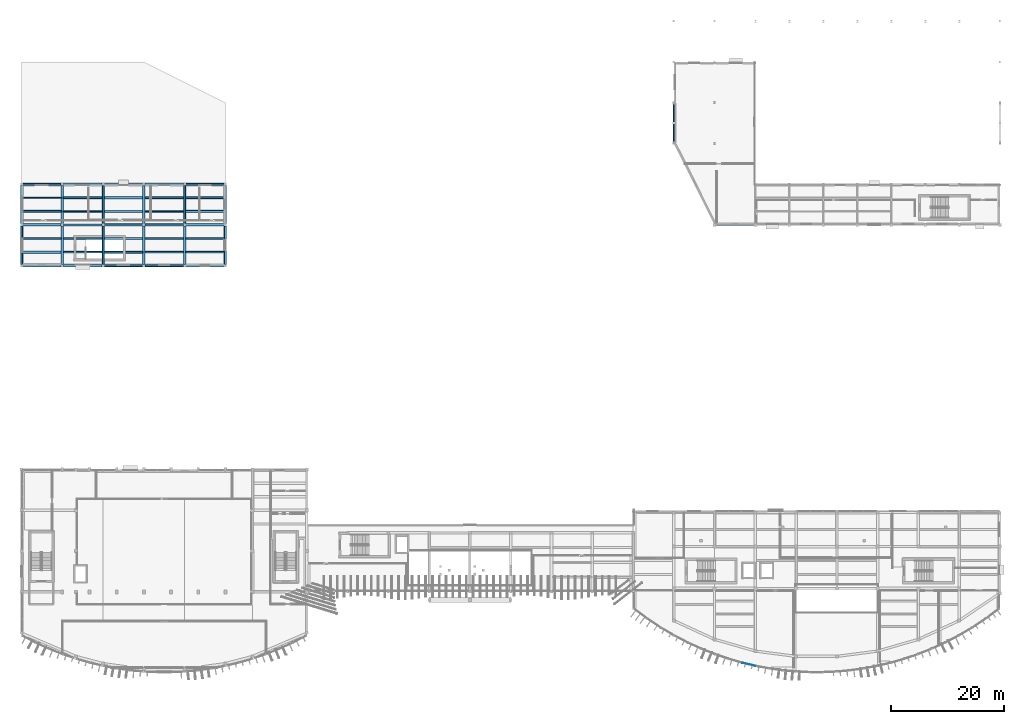
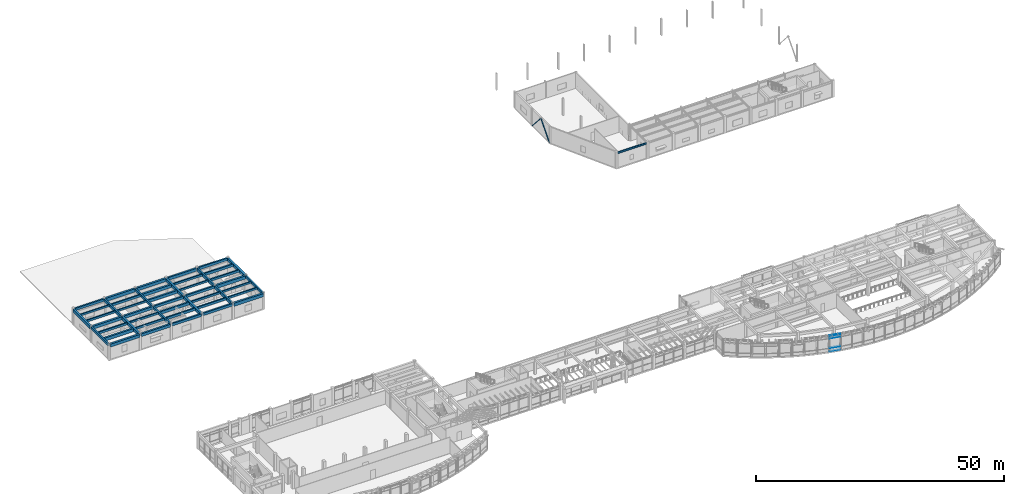
# One storey, part 21 of 60: 48 beams, 6 members, 1 element without a shape of its own.
"""IFC4 building model written with IfcOpenShell, lengths in metres."""

from ifc_helpers import new_model, si_unit, direction, frame, origin, origin_2d, place, context, subcontext, project, spatial, rectangle, hollow_rectangle, i_section, extrude, material, layer, layer_set, material_profile, profile_set, type_object, element, aggregate, save


model = new_model("IFC4")

# Units and contexts
model_context = context("Model", 3, precision=1e-05, world=origin(), true_north=direction((0.0, 1.0)))
body_context = subcontext(model_context, "Body", "Model", "MODEL_VIEW")
ifc_project = project(units=[si_unit("LENGTHUNIT", "METRE"), si_unit("AREAUNIT", "SQUARE_METRE"), si_unit("VOLUMEUNIT", "CUBIC_METRE"), si_unit("PLANEANGLEUNIT", "RADIAN"), si_unit("MASSUNIT", "GRAM", prefix="KILO")], contexts=[model_context])

# Site, building, storey
site_placement = place(None, origin())
site = spatial("IfcSite", under=ifc_project, at=site_placement, CompositionType="ELEMENT")
building_placement = place(site_placement, origin())
building = spatial("IfcBuilding", under=site, at=building_placement, Name="Brisavento Harbour Community Centre", CompositionType="ELEMENT")
storey_placement = place(building_placement, frame((0.0, 0.0, 4.5)))
storey = spatial("IfcBuildingStorey", under=building, at=storey_placement, Name="L01", CompositionType="ELEMENT", Elevation=4.5)

# Beams
ifc_material_1 = material(Name="Concrete C35/45", Category="concrete")
ifc_material_profile_1 = material_profile(ifc_material_1, rectangle(XDim=0.25, YDim=0.449951171875, at=origin_2d()), Name="Concrete C35/45")
ifc_profile_set_1 = profile_set([ifc_material_profile_1], Name="Concrete C35/45")
beam_type_1 = type_object("IfcBeamType", Name="BM-JST-250x450", PredefinedType="JOIST", material=ifc_profile_set_1)
beam_1_placement = place(storey_placement, frame((0.22509765625, 84.0, 3.72509765625), z_axis=(1.0, 0.0, 0.0), x_axis=(0.0, 1.0, 0.0)))
element("IfcBeam", 1, at=beam_1_placement, inside=storey, type_object=beam_type_1, Name="L01 secondary floor joist 0222", PredefinedType="JOIST", context=body_context, shape_type="SweptSolid", body=[
    extrude(rectangle(XDim=0.25, YDim=0.449951171875, at=origin_2d()), origin(), (0.0, 0.0, 1.0), 6.77490234375),
])
beam_2_placement = place(storey_placement, frame((21.824951171875, 81.60009765625, 3.72509765625), z_axis=(1.0, 0.0, 0.0), x_axis=(0.0, 1.0, 0.0)))
element("IfcBeam", 2, at=beam_2_placement, inside=storey, type_object=beam_type_1, Name="L01 secondary floor joist 0233", PredefinedType="JOIST", context=body_context, shape_type="SweptSolid", body=[
    extrude(rectangle(XDim=0.25, YDim=0.449951171875, at=origin_2d()), origin(), (0.0, 0.0, 1.0), 6.800048828125),
])
ifc_material_profile_2 = material_profile(ifc_material_1, rectangle(XDim=0.260009765625, YDim=0.4599609375, at=origin_2d()), Name="Concrete C35/45")
ifc_profile_set_2 = profile_set([ifc_material_profile_2], Name="Concrete C35/45")
beam_type_2 = type_object("IfcBeamType", Name="BM-JST-260x460", PredefinedType="JOIST", material=ifc_profile_set_2)
beam_3_placement = place(storey_placement, frame((7.39990234375, 81.60009765625, 3.719970703125), z_axis=(1.0, 0.0, 0.0), x_axis=(0.0, 1.0, 0.0)))
element("IfcBeam", 3, at=beam_3_placement, inside=storey, type_object=beam_type_2, Name="L01 secondary floor joist 0225", PredefinedType="JOIST", context=body_context, shape_type="SweptSolid", body=[
    extrude(rectangle(XDim=0.260009765625, YDim=0.4599609375, at=origin_2d()), origin(), (0.0, 0.0, 1.0), 6.8251953125),
])
beam_4_placement = place(storey_placement, frame((29.0, 76.800048828125, 3.719970703125), z_axis=(1.0, 0.0, 0.0), x_axis=(0.0, 1.0, 0.0)))
element("IfcBeam", 4, at=beam_4_placement, inside=storey, type_object=beam_type_2, Name="L01 secondary floor joist 0236", PredefinedType="JOIST", context=body_context, shape_type="SweptSolid", body=[
    extrude(rectangle(XDim=0.260009765625, YDim=0.4599609375, at=origin_2d()), origin(), (0.0, 0.0, 1.0), 6.824951171875),
])
ifc_material_profile_3 = material_profile(ifc_material_1, rectangle(XDim=0.280029296875, YDim=0.47998046875, at=origin_2d()), Name="Concrete C35/45")
ifc_profile_set_3 = profile_set([ifc_material_profile_3], Name="Concrete C35/45")
beam_type_3 = type_object("IfcBeamType", Name="BM-JST-280x480", PredefinedType="JOIST", material=ifc_profile_set_3)
beam_5_placement = place(storey_placement, frame((7.425048828125, 76.800048828125, 3.7099609375), z_axis=(1.0, 0.0, 0.0), x_axis=(0.0, 1.0, 0.0)))
element("IfcBeam", 5, at=beam_5_placement, inside=storey, type_object=beam_type_3, Name="L01 secondary floor joist 0224", PredefinedType="JOIST", context=body_context, shape_type="SweptSolid", body=[
    extrude(rectangle(XDim=0.280029296875, YDim=0.47998046875, at=origin_2d()), origin(), (0.0, 0.0, 1.0), 6.800048828125),
])
beam_6_placement = place(storey_placement, frame((29.0, 74.39990234375, 3.7099609375), z_axis=(1.0, 0.0, 0.0), x_axis=(0.0, 1.0, 0.0)))
element("IfcBeam", 6, at=beam_6_placement, inside=storey, type_object=beam_type_3, Name="L01 secondary floor joist 0235", PredefinedType="JOIST", context=body_context, shape_type="SweptSolid", body=[
    extrude(rectangle(XDim=0.280029296875, YDim=0.47998046875, at=origin_2d()), origin(), (0.0, 0.0, 1.0), 6.824951171875),
])
ifc_material_profile_4 = material_profile(ifc_material_1, rectangle(XDim=0.280029296875, YDim=0.52001953125, at=origin_2d()), Name="Concrete C35/45")
ifc_profile_set_4 = profile_set([ifc_material_profile_4], Name="Concrete C35/45")
beam_type_4 = type_object("IfcBeamType", Name="BM-JST-280x520", PredefinedType="JOIST", material=ifc_profile_set_4)
for number, where, z_axis, x_axis, name in (
    (7, (7.425048828125, 74.39990234375, 3.68994140625), (1.0, 0.0, 0.0), (0.0, 1.0, 0.0), "L01 secondary floor joist 0223"),
    (8, (21.824951171875, 84.0, 3.68994140625), (1.0, 0.0, 0.0), (0.0, 1.0, 0.0), "L01 secondary floor joist 0234"),
):
    element("IfcBeam", number, at=place(storey_placement, frame(where, z_axis=z_axis, x_axis=x_axis)), inside=storey, type_object=beam_type_4, Name=name, PredefinedType="JOIST", context=body_context, shape_type="SweptSolid", body=[
        extrude(rectangle(XDim=0.280029296875, YDim=0.52001953125, at=origin_2d()), origin(), (0.0, 0.0, 1.0), 6.800048828125),
    ])
ifc_material_profile_5 = material_profile(ifc_material_1, rectangle(XDim=0.300048828125, YDim=0.5, at=origin_2d()), Name="Concrete C35/45")
ifc_profile_set_5 = profile_set([ifc_material_profile_5], Name="Concrete C35/45")
beam_type_5 = type_object("IfcBeamType", Name="BM-JST-300x500", PredefinedType="JOIST", material=ifc_profile_set_5)
beam_7_placement = place(storey_placement, frame((0.22509765625, 81.60009765625, 3.699951171875), z_axis=(1.0, 0.0, 0.0), x_axis=(0.0, 1.0, 0.0)))
element("IfcBeam", 9, at=beam_7_placement, inside=storey, type_object=beam_type_5, Name="L01 secondary floor joist 0221", PredefinedType="JOIST", context=body_context, shape_type="SweptSolid", body=[
    extrude(rectangle(XDim=0.300048828125, YDim=0.5, at=origin_2d()), origin(), (0.0, 0.0, 1.0), 6.77490234375),
])
beam_8_placement = place(storey_placement, frame((21.824951171875, 76.800048828125, 3.699951171875), z_axis=(1.0, 0.0, 0.0), x_axis=(0.0, 1.0, 0.0)))
element("IfcBeam", 10, at=beam_8_placement, inside=storey, type_object=beam_type_5, Name="L01 secondary floor joist 0232", PredefinedType="JOIST", context=body_context, shape_type="SweptSolid", body=[
    extrude(rectangle(XDim=0.300048828125, YDim=0.5, at=origin_2d()), origin(), (0.0, 0.0, 1.0), 6.775146484375),
])
ifc_material_profile_6 = material_profile(ifc_material_1, rectangle(XDim=0.300048828125, YDim=0.550048828125, at=origin_2d()), Name="Concrete C35/45")
ifc_profile_set_6 = profile_set([ifc_material_profile_6], Name="Concrete C35/45")
beam_type_6 = type_object("IfcBeamType", Name="BM-JST-300x550", PredefinedType="JOIST", material=ifc_profile_set_6)
beam_9_placement = place(storey_placement, frame((0.175048828125, 76.800048828125, 3.675048828125), z_axis=(1.0, 0.0, 0.0), x_axis=(0.0, 1.0, 0.0)))
element("IfcBeam", 11, at=beam_9_placement, inside=storey, type_object=beam_type_6, Name="L01 secondary floor joist 0220", PredefinedType="JOIST", context=body_context, shape_type="SweptSolid", body=[
    extrude(rectangle(XDim=0.300048828125, YDim=0.550048828125, at=origin_2d()), origin(), (0.0, 0.0, 1.0), 6.800048828125),
])
beam_10_placement = place(storey_placement, frame((21.824951171875, 74.39990234375, 3.675048828125), z_axis=(1.0, 0.0, 0.0), x_axis=(0.0, 1.0, 0.0)))
element("IfcBeam", 12, at=beam_10_placement, inside=storey, type_object=beam_type_6, Name="L01 secondary floor joist 0231", PredefinedType="JOIST", context=body_context, shape_type="SweptSolid", body=[
    extrude(rectangle(XDim=0.300048828125, YDim=0.550048828125, at=origin_2d()), origin(), (0.0, 0.0, 1.0), 6.775146484375),
])
ifc_material_profile_7 = material_profile(ifc_material_1, rectangle(XDim=0.320068359375, YDim=0.56005859375, at=origin_2d()), Name="Concrete C35/45")
ifc_profile_set_7 = profile_set([ifc_material_profile_7], Name="Concrete C35/45")
beam_type_7 = type_object("IfcBeamType", Name="BM-JST-320x560", PredefinedType="JOIST", material=ifc_profile_set_7)
beam_11_placement = place(storey_placement, frame((7.39990234375, 84.0, 3.669921875), z_axis=(1.0, 0.0, 0.0), x_axis=(0.0, 1.0, 0.0)))
element("IfcBeam", 13, at=beam_11_placement, inside=storey, type_object=beam_type_7, Name="L01 secondary floor joist 0226", PredefinedType="JOIST", context=body_context, shape_type="SweptSolid", body=[
    extrude(rectangle(XDim=0.320068359375, YDim=0.56005859375, at=origin_2d()), origin(), (0.0, 0.0, 1.0), 6.8251953125),
])
beam_12_placement = place(storey_placement, frame((28.97509765625, 81.60009765625, 3.669921875), z_axis=(1.0, 0.0, 0.0), x_axis=(0.0, 1.0, 0.0)))
element("IfcBeam", 14, at=beam_12_placement, inside=storey, type_object=beam_type_7, Name="L01 secondary floor joist 0237", PredefinedType="JOIST", context=body_context, shape_type="SweptSolid", body=[
    extrude(rectangle(XDim=0.320068359375, YDim=0.56005859375, at=origin_2d()), origin(), (0.0, 0.0, 1.0), 6.7998046875),
])
ifc_material_profile_8 = material_profile(ifc_material_1, rectangle(XDim=0.320068359375, YDim=0.6201171875, at=origin_2d()), Name="Concrete C35/45")
ifc_profile_set_8 = profile_set([ifc_material_profile_8], Name="Concrete C35/45")
beam_type_8 = type_object("IfcBeamType", Name="BM-JST-320x620", PredefinedType="JOIST", material=ifc_profile_set_8)
beam_13_placement = place(storey_placement, frame((14.574951171875, 74.39990234375, 3.639892578125), z_axis=(1.0, 0.0, 0.0), x_axis=(0.0, 1.0, 0.0)))
element("IfcBeam", 15, at=beam_13_placement, inside=storey, type_object=beam_type_8, Name="L01 secondary floor joist 0227", PredefinedType="JOIST", context=body_context, shape_type="SweptSolid", body=[
    extrude(rectangle(XDim=0.320068359375, YDim=0.6201171875, at=origin_2d()), origin(), (0.0, 0.0, 1.0), 6.800048828125),
])
beam_14_placement = place(storey_placement, frame((28.97509765625, 84.0, 3.639892578125), z_axis=(1.0, 0.0, 0.0), x_axis=(0.0, 1.0, 0.0)))
element("IfcBeam", 16, at=beam_14_placement, inside=storey, type_object=beam_type_8, Name="L01 secondary floor joist 0238", PredefinedType="JOIST", context=body_context, shape_type="SweptSolid", body=[
    extrude(rectangle(XDim=0.320068359375, YDim=0.6201171875, at=origin_2d()), origin(), (0.0, 0.0, 1.0), 6.7998046875),
])
ifc_material_profile_9 = material_profile(ifc_material_1, rectangle(XDim=0.360107421875, YDim=0.679931640625, at=origin_2d()), Name="Concrete C35/45")
ifc_profile_set_9 = profile_set([ifc_material_profile_9], Name="Concrete C35/45")
beam_type_9 = type_object("IfcBeamType", Name="BM-JST-360x680", PredefinedType="JOIST", material=ifc_profile_set_9)
beam_15_placement = place(storey_placement, frame((14.574951171875, 76.800048828125, 3.610107421875), z_axis=(1.0, 0.0, 0.0), x_axis=(0.0, 1.0, 0.0)))
element("IfcBeam", 17, at=beam_15_placement, inside=storey, type_object=beam_type_9, Name="L01 secondary floor joist 0228", PredefinedType="JOIST", context=body_context, shape_type="SweptSolid", body=[
    extrude(rectangle(XDim=0.360107421875, YDim=0.679931640625, at=origin_2d()), origin(), (0.0, 0.0, 1.0), 6.800048828125),
])
ifc_material_profile_10 = material_profile(ifc_material_1, rectangle(XDim=0.3798828125, YDim=0.719970703125, at=origin_2d()), Name="Concrete C35/45")
ifc_profile_set_10 = profile_set([ifc_material_profile_10], Name="Concrete C35/45")
beam_type_10 = type_object("IfcBeamType", Name="BM-JST-380x720", PredefinedType="JOIST", material=ifc_profile_set_10)
beam_16_placement = place(storey_placement, frame((14.574951171875, 81.60009765625, 3.590087890625), z_axis=(1.0, 0.0, 0.0), x_axis=(0.0, 1.0, 0.0)))
element("IfcBeam", 18, at=beam_16_placement, inside=storey, type_object=beam_type_10, Name="L01 secondary floor joist 0229", PredefinedType="JOIST", context=body_context, shape_type="SweptSolid", body=[
    extrude(rectangle(XDim=0.3798828125, YDim=0.719970703125, at=origin_2d()), origin(), (0.0, 0.0, 1.0), 6.800048828125),
])
ifc_material_profile_11 = material_profile(ifc_material_1, rectangle(XDim=0.419921875, YDim=0.760009765625, at=origin_2d()), Name="Concrete C35/45")
ifc_profile_set_11 = profile_set([ifc_material_profile_11], Name="Concrete C35/45")
beam_type_11 = type_object("IfcBeamType", Name="BM-JST-420x760", PredefinedType="JOIST", material=ifc_profile_set_11)
for number, where, z_axis, x_axis, name in (
    (19, (0.175048828125, 74.39990234375, 3.570068359375), (1.0, 0.0, 0.0), (0.0, 1.0, 0.0), "L01 secondary floor joist 0219"),
    (20, (14.574951171875, 84.0, 3.570068359375), (1.0, 0.0, 0.0), (0.0, 1.0, 0.0), "L01 secondary floor joist 0230"),
):
    element("IfcBeam", number, at=place(storey_placement, frame(where, z_axis=z_axis, x_axis=x_axis)), inside=storey, type_object=beam_type_11, Name=name, PredefinedType="JOIST", context=body_context, shape_type="SweptSolid", body=[
        extrude(rectangle(XDim=0.419921875, YDim=0.760009765625, at=origin_2d()), origin(), (0.0, 0.0, 1.0), 6.800048828125),
    ])
ifc_material_profile_12 = material_profile(ifc_material_1, rectangle(XDim=0.35009765625, YDim=0.60009765625, at=origin_2d()), Name="Concrete C35/45")
ifc_profile_set_12 = profile_set([ifc_material_profile_12], Name="Concrete C35/45")
beam_type_12 = type_object("IfcBeamType", Name="BM-RC-350x600", PredefinedType="BEAM", material=ifc_profile_set_12)
for number, where, z_axis, x_axis, name in (
    (21, (21.794921875, 72.0, 3.64990234375), (1.0, 0.0, 0.0), (0.0, 1.0, 0.0), "L01 primary girder X0449"),
    (22, (21.794921875, 79.199951171875, 3.64990234375), (1.0, 0.0, 0.0), (0.0, 1.0, 0.0), "L01 primary girder X0454"),
):
    element("IfcBeam", number, at=place(storey_placement, frame(where, z_axis=z_axis, x_axis=x_axis)), inside=storey, type_object=beam_type_12, Name=name, PredefinedType="BEAM", context=body_context, shape_type="SweptSolid", body=[
        extrude(rectangle(XDim=0.35009765625, YDim=0.60009765625, at=origin_2d()), origin(), (0.0, 0.0, 1.0), 6.81005859375),
    ])
for number, where, z_axis, x_axis, name in (
    (23, (0.195068359375, 86.39990234375, 3.64990234375), (1.0, 0.0, 0.0), (0.0, 1.0, 0.0), "L01 primary girder X0464"),
    (24, (0.0, 72.195068359375, 3.64990234375), (0.0, 1.0, 0.0), (-1.0, 0.0, 0.0), "L01 primary girder Y0479"),
):
    element("IfcBeam", number, at=place(storey_placement, frame(where, z_axis=z_axis, x_axis=x_axis)), inside=storey, type_object=beam_type_12, Name=name, PredefinedType="BEAM", context=body_context, shape_type="SweptSolid", body=[
        extrude(rectangle(XDim=0.35009765625, YDim=0.60009765625, at=origin_2d()), origin(), (0.0, 0.0, 1.0), 6.809814453125),
    ])
beam_17_placement = place(storey_placement, frame((14.39990234375, 79.39501953125, 3.64990234375), z_axis=(0.0, 1.0, 0.0), x_axis=(-1.0, 0.0, 0.0)))
element("IfcBeam", 25, at=beam_17_placement, inside=storey, type_object=beam_type_12, Name="L01 primary girder Y0484", PredefinedType="BEAM", context=body_context, shape_type="SweptSolid", body=[
    extrude(rectangle(XDim=0.35009765625, YDim=0.60009765625, at=origin_2d()), origin(), (0.0, 0.0, 1.0), 6.81005859375),
])
beam_18_placement = place(storey_placement, frame((36.0, 72.195068359375, 3.64990234375), z_axis=(0.0, 1.0, 0.0), x_axis=(-1.0, 0.0, 0.0)))
element("IfcBeam", 26, at=beam_18_placement, inside=storey, type_object=beam_type_12, Name="L01 primary girder Y0489", PredefinedType="BEAM", context=body_context, shape_type="SweptSolid", body=[
    extrude(rectangle(XDim=0.35009765625, YDim=0.60009765625, at=origin_2d()), origin(), (0.0, 0.0, 1.0), 6.809814453125),
])
ifc_material_profile_13 = material_profile(ifc_material_1, rectangle(XDim=0.35009765625, YDim=0.64990234375, at=origin_2d()), Name="Concrete C35/45")
ifc_profile_set_13 = profile_set([ifc_material_profile_13], Name="Concrete C35/45")
beam_type_13 = type_object("IfcBeamType", Name="BM-RC-350x650", PredefinedType="BEAM", material=ifc_profile_set_13)
for number, where, z_axis, x_axis, name in (
    (27, (14.594970703125, 72.0, 3.625), (1.0, 0.0, 0.0), (0.0, 1.0, 0.0), "L01 primary girder X0448"),
    (28, (14.594970703125, 79.199951171875, 3.625), (1.0, 0.0, 0.0), (0.0, 1.0, 0.0), "L01 primary girder X0453"),
):
    element("IfcBeam", number, at=place(storey_placement, frame(where, z_axis=z_axis, x_axis=x_axis)), inside=storey, type_object=beam_type_13, Name=name, PredefinedType="BEAM", context=body_context, shape_type="SweptSolid", body=[
        extrude(rectangle(XDim=0.35009765625, YDim=0.64990234375, at=origin_2d()), origin(), (0.0, 0.0, 1.0), 6.81005859375),
    ])
for number, where, z_axis, x_axis, name in (
    (29, (28.9951171875, 86.39990234375, 3.625), (1.0, 0.0, 0.0), (0.0, 1.0, 0.0), "L01 primary girder X0468"),
    (30, (14.39990234375, 72.195068359375, 3.625), (0.0, 1.0, 0.0), (-1.0, 0.0, 0.0), "L01 primary girder Y0483"),
):
    element("IfcBeam", number, at=place(storey_placement, frame(where, z_axis=z_axis, x_axis=x_axis)), inside=storey, type_object=beam_type_13, Name=name, PredefinedType="BEAM", context=body_context, shape_type="SweptSolid", body=[
        extrude(rectangle(XDim=0.35009765625, YDim=0.64990234375, at=origin_2d()), origin(), (0.0, 0.0, 1.0), 6.809814453125),
    ])
beam_19_placement = place(storey_placement, frame((28.800048828125, 79.39501953125, 3.625), z_axis=(0.0, 1.0, 0.0), x_axis=(-1.0, 0.0, 0.0)))
element("IfcBeam", 31, at=beam_19_placement, inside=storey, type_object=beam_type_13, Name="L01 primary girder Y0488", PredefinedType="BEAM", context=body_context, shape_type="SweptSolid", body=[
    extrude(rectangle(XDim=0.35009765625, YDim=0.64990234375, at=origin_2d()), origin(), (0.0, 0.0, 1.0), 6.81005859375),
])
ifc_material_profile_14 = material_profile(ifc_material_1, rectangle(XDim=0.39990234375, YDim=0.699951171875, at=origin_2d()), Name="Concrete C35/45")
ifc_profile_set_14 = profile_set([ifc_material_profile_14], Name="Concrete C35/45")
beam_type_14 = type_object("IfcBeamType", Name="BM-RC-400x700", PredefinedType="BEAM", material=ifc_profile_set_14)
for number, where, z_axis, x_axis, name in (
    (32, (7.39501953125, 72.0, 3.60009765625), (1.0, 0.0, 0.0), (0.0, 1.0, 0.0), "L01 primary girder X0447"),
    (33, (7.39501953125, 79.199951171875, 3.60009765625), (1.0, 0.0, 0.0), (0.0, 1.0, 0.0), "L01 primary girder X0452"),
    (34, (21.794921875, 86.39990234375, 3.60009765625), (1.0, 0.0, 0.0), (0.0, 1.0, 0.0), "L01 primary girder X0467"),
    (35, (7.199951171875, 79.39501953125, 3.60009765625), (0.0, 1.0, 0.0), (-1.0, 0.0, 0.0), "L01 primary girder Y0482"),
):
    element("IfcBeam", number, at=place(storey_placement, frame(where, z_axis=z_axis, x_axis=x_axis)), inside=storey, type_object=beam_type_14, Name=name, PredefinedType="BEAM", context=body_context, shape_type="SweptSolid", body=[
        extrude(rectangle(XDim=0.39990234375, YDim=0.699951171875, at=origin_2d()), origin(), (0.0, 0.0, 1.0), 6.81005859375),
    ])
beam_20_placement = place(storey_placement, frame((28.800048828125, 72.195068359375, 3.60009765625), z_axis=(0.0, 1.0, 0.0), x_axis=(-1.0, 0.0, 0.0)))
element("IfcBeam", 36, at=beam_20_placement, inside=storey, type_object=beam_type_14, Name="L01 primary girder Y0487", PredefinedType="BEAM", context=body_context, shape_type="SweptSolid", body=[
    extrude(rectangle(XDim=0.39990234375, YDim=0.699951171875, at=origin_2d()), origin(), (0.0, 0.0, 1.0), 6.809814453125),
])
ifc_material_profile_15 = material_profile(ifc_material_1, rectangle(XDim=0.449951171875, YDim=0.75, at=origin_2d()), Name="Concrete C35/45")
ifc_profile_set_15 = profile_set([ifc_material_profile_15], Name="Concrete C35/45")
beam_type_15 = type_object("IfcBeamType", Name="BM-RC-450x750", PredefinedType="BEAM", material=ifc_profile_set_15)
for number, where, z_axis, x_axis, name in (
    (37, (0.195068359375, 72.0, 3.574951171875), (1.0, 0.0, 0.0), (0.0, 1.0, 0.0), "L01 primary girder X0446"),
    (38, (0.195068359375, 79.199951171875, 3.574951171875), (1.0, 0.0, 0.0), (0.0, 1.0, 0.0), "L01 primary girder X0451"),
):
    element("IfcBeam", number, at=place(storey_placement, frame(where, z_axis=z_axis, x_axis=x_axis)), inside=storey, type_object=beam_type_15, Name=name, PredefinedType="BEAM", context=body_context, shape_type="SweptSolid", body=[
        extrude(rectangle(XDim=0.449951171875, YDim=0.75, at=origin_2d()), origin(), (0.0, 0.0, 1.0), 6.809814453125),
    ])
beam_21_placement = place(storey_placement, frame((14.594970703125, 86.39990234375, 3.574951171875), z_axis=(1.0, 0.0, 0.0), x_axis=(0.0, 1.0, 0.0)))
element("IfcBeam", 39, at=beam_21_placement, inside=storey, type_object=beam_type_15, Name="L01 primary girder X0466", PredefinedType="BEAM", context=body_context, shape_type="SweptSolid", body=[
    extrude(rectangle(XDim=0.449951171875, YDim=0.75, at=origin_2d()), origin(), (0.0, 0.0, 1.0), 6.81005859375),
])
beam_22_placement = place(storey_placement, frame((7.199951171875, 72.195068359375, 3.574951171875), z_axis=(0.0, 1.0, 0.0), x_axis=(-1.0, 0.0, 0.0)))
element("IfcBeam", 40, at=beam_22_placement, inside=storey, type_object=beam_type_15, Name="L01 primary girder Y0481", PredefinedType="BEAM", context=body_context, shape_type="SweptSolid", body=[
    extrude(rectangle(XDim=0.449951171875, YDim=0.75, at=origin_2d()), origin(), (0.0, 0.0, 1.0), 6.809814453125),
])
beam_23_placement = place(storey_placement, frame((21.60009765625, 79.39501953125, 3.574951171875), z_axis=(0.0, 1.0, 0.0), x_axis=(-1.0, 0.0, 0.0)))
element("IfcBeam", 41, at=beam_23_placement, inside=storey, type_object=beam_type_15, Name="L01 primary girder Y0486", PredefinedType="BEAM", context=body_context, shape_type="SweptSolid", body=[
    extrude(rectangle(XDim=0.449951171875, YDim=0.75, at=origin_2d()), origin(), (0.0, 0.0, 1.0), 6.81005859375),
])
ifc_material_profile_16 = material_profile(ifc_material_1, rectangle(XDim=0.449951171875, YDim=0.800048828125, at=origin_2d()), Name="Concrete C35/45")
ifc_profile_set_16 = profile_set([ifc_material_profile_16], Name="Concrete C35/45")
beam_type_16 = type_object("IfcBeamType", Name="BM-RC-450x800", PredefinedType="BEAM", material=ifc_profile_set_16)
for number, where, z_axis, x_axis, name in (
    (42, (28.9951171875, 72.0, 3.550048828125), (1.0, 0.0, 0.0), (0.0, 1.0, 0.0), "L01 primary girder X0450"),
    (43, (28.9951171875, 79.199951171875, 3.550048828125), (1.0, 0.0, 0.0), (0.0, 1.0, 0.0), "L01 primary girder X0455"),
):
    element("IfcBeam", number, at=place(storey_placement, frame(where, z_axis=z_axis, x_axis=x_axis)), inside=storey, type_object=beam_type_16, Name=name, PredefinedType="BEAM", context=body_context, shape_type="SweptSolid", body=[
        extrude(rectangle(XDim=0.449951171875, YDim=0.800048828125, at=origin_2d()), origin(), (0.0, 0.0, 1.0), 6.809814453125),
    ])
for number, where, z_axis, x_axis, name in (
    (44, (7.39501953125, 86.39990234375, 3.550048828125), (1.0, 0.0, 0.0), (0.0, 1.0, 0.0), "L01 primary girder X0465"),
    (45, (0.0, 79.39501953125, 3.550048828125), (0.0, 1.0, 0.0), (-1.0, 0.0, 0.0), "L01 primary girder Y0480"),
):
    element("IfcBeam", number, at=place(storey_placement, frame(where, z_axis=z_axis, x_axis=x_axis)), inside=storey, type_object=beam_type_16, Name=name, PredefinedType="BEAM", context=body_context, shape_type="SweptSolid", body=[
        extrude(rectangle(XDim=0.449951171875, YDim=0.800048828125, at=origin_2d()), origin(), (0.0, 0.0, 1.0), 6.81005859375),
    ])
beam_24_placement = place(storey_placement, frame((21.60009765625, 72.195068359375, 3.550048828125), z_axis=(0.0, 1.0, 0.0), x_axis=(-1.0, 0.0, 0.0)))
element("IfcBeam", 46, at=beam_24_placement, inside=storey, type_object=beam_type_16, Name="L01 primary girder Y0485", PredefinedType="BEAM", context=body_context, shape_type="SweptSolid", body=[
    extrude(rectangle(XDim=0.449951171875, YDim=0.800048828125, at=origin_2d()), origin(), (0.0, 0.0, 1.0), 6.809814453125),
])
beam_25_placement = place(storey_placement, frame((36.0, 79.39501953125, 3.550048828125), z_axis=(0.0, 1.0, 0.0), x_axis=(-1.0, 0.0, 0.0)))
element("IfcBeam", 47, at=beam_25_placement, inside=storey, type_object=beam_type_16, Name="L01 primary girder Y0490", PredefinedType="BEAM", context=body_context, shape_type="SweptSolid", body=[
    extrude(rectangle(XDim=0.449951171875, YDim=0.800048828125, at=origin_2d()), origin(), (0.0, 0.0, 1.0), 6.81005859375),
])
ifc_material_2 = material(Name="Steel S355", Category="steel")
ifc_material_profile_17 = material_profile(ifc_material_2, i_section(OverallWidth=0.18994140625, OverallDepth=0.449951171875, WebThickness=0.009521484375, FlangeThickness=0.0146484375, FilletRadius=0.02099609375, at=origin_2d()), Name="Steel S355")
ifc_profile_set_17 = profile_set([ifc_material_profile_17], Name="Steel S355")
beam_type_17 = type_object("IfcBeamType", Name="BM-STL-IPE450", PredefinedType="BEAM", material=ifc_profile_set_17)
beam_26_placement = place(storey_placement, frame((122.6201171875, 79.199951171875, 3.72509765625), z_axis=(1.0, 0.0, 0.0), x_axis=(0.0, 1.0, 0.0)))
element("IfcBeam", 48, at=beam_26_placement, inside=storey, type_object=beam_type_17, Name="L01 primary girder X0456", PredefinedType="BEAM", context=body_context, shape_type="SweptSolid", body=[
    extrude(i_section(OverallWidth=0.18994140625, OverallDepth=0.449951171875, WebThickness=0.009521484375, FlangeThickness=0.0146484375, FilletRadius=0.02099609375, at=origin_2d()), origin(), (0.0, 0.0, 1.0), 6.759765625),
])

# Curtain wall, members
ifc_material_3 = material(Name="Marine-anodised aluminium AW-6063-T6", Category="aluminium")
ifc_layer = layer(ifc_material_3, 0.179931640625, Name="Marine-anodised aluminium AW-6063-T6")
ifc_layer_set = layer_set([ifc_layer], Name="Marine-anodised aluminium AW-6063-T6")
curtain_wall_type = type_object("IfcCurtainWallType", Name="CW-SYS-10", PredefinedType="USERDEFINED", material=ifc_layer_set)
curtain_wall_placement = place(storey_placement, origin())
curtain_wall = element("IfcCurtainWall", 49, at=curtain_wall_placement, inside=storey, type_object=curtain_wall_type, Name="L01 V3 unitised curtain wall 066", ObjectType="UNITISED CURTAIN WALL", PredefinedType="USERDEFINED")
ifc_material_profile_18 = material_profile(ifc_material_3, rectangle(XDim=0.070068359375, YDim=0.132080078125, at=origin_2d()), Name="Marine-anodised aluminium AW-6063-T6")
ifc_profile_set_18 = profile_set([ifc_material_profile_18], Name="Marine-anodised aluminium AW-6063-T6")
member_type_1 = type_object("IfcMemberType", Name="CWT-02", PredefinedType="USERDEFINED", material=ifc_profile_set_18)
member_1_placement = place(storey_placement, frame((129.555908203125, 1.329345703125, 0.034912109375), z_axis=(-0.972987744857, 0.230856770222, 0.0), x_axis=(-0.230856770222, -0.972987744857, 0.0)))
member_1 = element("IfcMember", 50, at=member_1_placement, type_object=member_type_1, Name="CW-10 transom 1.1", ObjectType="TRANSOM", PredefinedType="USERDEFINED", context=body_context, shape_type="SweptSolid", body=[
    extrude(rectangle(XDim=0.070068359375, YDim=0.132080078125, at=origin_2d()), origin(), (0.0, 0.0, 1.0), 2.29052734375),
])
member_2_placement = place(storey_placement, frame((129.555908203125, 1.329345703125, 0.89990234375), z_axis=(-0.972987744857, 0.230856770222, 0.0), x_axis=(-0.230856770222, -0.972987744857, 0.0)))
member_2 = element("IfcMember", 51, at=member_2_placement, type_object=member_type_1, Name="CW-10 transom 1.2", ObjectType="TRANSOM", PredefinedType="USERDEFINED", context=body_context, shape_type="SweptSolid", body=[
    extrude(rectangle(XDim=0.070068359375, YDim=0.132080078125, at=origin_2d()), origin(), (0.0, 0.0, 1.0), 2.29052734375),
])
member_3_placement = place(storey_placement, frame((129.555908203125, 1.329345703125, 3.300048828125), z_axis=(-0.972987744857, 0.230856770222, 0.0), x_axis=(-0.230856770222, -0.972987744857, 0.0)))
member_3 = element("IfcMember", 52, at=member_3_placement, type_object=member_type_1, Name="CW-10 transom 1.3", ObjectType="TRANSOM", PredefinedType="USERDEFINED", context=body_context, shape_type="SweptSolid", body=[
    extrude(rectangle(XDim=0.070068359375, YDim=0.132080078125, at=origin_2d()), origin(), (0.0, 0.0, 1.0), 2.29052734375),
])
member_4_placement = place(storey_placement, frame((129.555908203125, 1.329345703125, 3.9150390625), z_axis=(-0.972987744857, 0.230856770222, 0.0), x_axis=(-0.230856770222, -0.972987744857, 0.0)))
member_4 = element("IfcMember", 53, at=member_4_placement, type_object=member_type_1, Name="CW-10 transom 1.4", ObjectType="TRANSOM", PredefinedType="USERDEFINED", context=body_context, shape_type="SweptSolid", body=[
    extrude(rectangle(XDim=0.070068359375, YDim=0.132080078125, at=origin_2d()), origin(), (0.0, 0.0, 1.0), 2.29052734375),
])
aggregate(curtain_wall, [member_1, member_2, member_3, member_4])

# Members
ifc_material_profile_19 = material_profile(ifc_material_2, hollow_rectangle(XDim=0.14990234375, YDim=0.14990234375, WallThickness=0.008056640625, at=origin_2d()), Name="Steel S355")
ifc_profile_set_19 = profile_set([ifc_material_profile_19], Name="Steel S355")
member_type_2 = type_object("IfcMemberType", Name="MEM-BRC-SHS150", PredefinedType="BRACE", material=ifc_profile_set_19)
for number, where, z_axis, x_axis, name in (
    (54, (115.199951171875, 93.719970703125, 0.0), (0.0, 0.66105851983, 0.750334347715), (-1.0, 0.0, 0.0), "Sports Hall flank chevron brace 5.1"),
    (55, (115.199951171875, 100.679931640625, 0.0), (0.0, -0.66105851983, 0.750334347715), (1.0, 0.0, 0.0), "Sports Hall flank chevron brace 5.2"),
):
    element("IfcMember", number, at=place(storey_placement, frame(where, z_axis=z_axis, x_axis=x_axis)), inside=storey, type_object=member_type_2, Name=name, PredefinedType="BRACE", context=body_context, shape_type="SweptSolid", body=[
        extrude(hollow_rectangle(XDim=0.14990234375, YDim=0.14990234375, WallThickness=0.008056640625, at=origin_2d()), origin(), (0.0, 0.0, 1.0), 5.26416015625),
    ])

save(model, "model.ifc")
